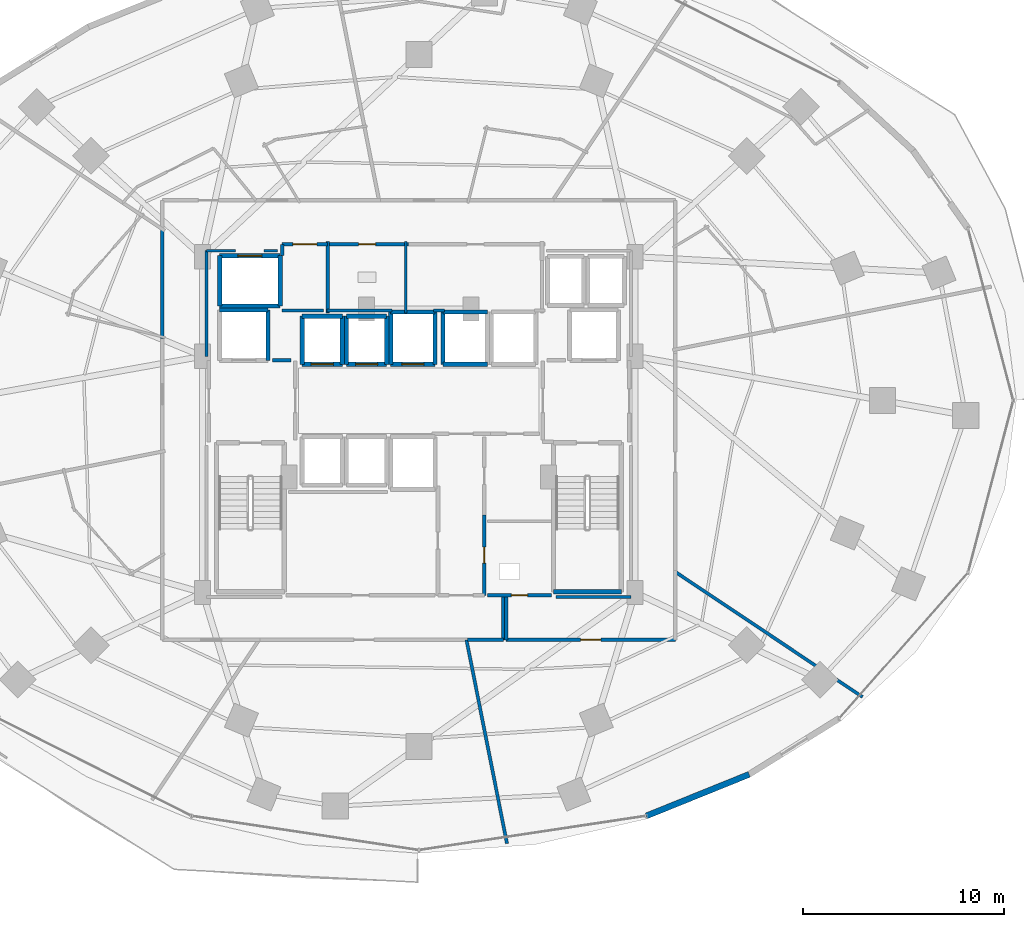
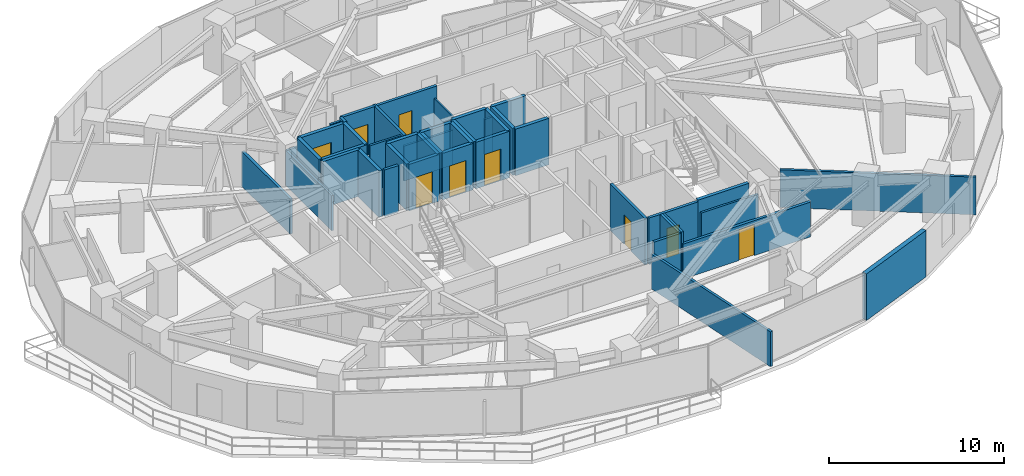
# One storey, part 27 of 33: 45 walls, 9 doors, 9 openings.
"""IFC4 building model written with IfcOpenShell, lengths in metres."""

from ifc_helpers import new_model, si_unit, direction, frame, frame_2d, origin, place, context, subcontext, project, spatial, rectangle, extrude, material, layer, layer_set, type_object, element, fill, save


model = new_model("IFC4")

# Units and contexts
model_context = context("Model", 3, precision=1e-05, world=origin(), true_north=direction((0.0, 1.0)))
body_context = subcontext(model_context, "Body", "Model", "MODEL_VIEW")
ifc_project = project(units=[si_unit("LENGTHUNIT", "METRE"), si_unit("AREAUNIT", "SQUARE_METRE"), si_unit("VOLUMEUNIT", "CUBIC_METRE"), si_unit("PLANEANGLEUNIT", "RADIAN"), si_unit("MASSUNIT", "GRAM", prefix="KILO")], contexts=[model_context])

# Site, building, storey
site_placement = place(None, origin())
site = spatial("IfcSite", under=ifc_project, at=site_placement, CompositionType="ELEMENT")
building_placement = place(site_placement, origin())
building = spatial("IfcBuilding", under=site, at=building_placement, Name="Vorneva Point Tower", CompositionType="ELEMENT")
storey_placement = place(building_placement, frame((0.0, 0.0, 38.0)))
storey = spatial("IfcBuildingStorey", under=building, at=storey_placement, Name="L09", CompositionType="ELEMENT", Elevation=38.0)

# Walls
ifc_material_1 = material(Name="Concrete B60 (C50/60)", Category="concrete")
ifc_layer_1 = layer(ifc_material_1, 0.5)
ifc_layer_set_1 = layer_set([ifc_layer_1], Name="Concrete B60 (C50/60)")
wall_type_1 = type_object("IfcWallType", Name="WL-CORE-500", PredefinedType="SHEAR", material=ifc_layer_set_1)
wall_1_placement = place(storey_placement, frame((30.5, 28.0, 0.0), z_axis=(0.0, 0.0, 1.0), x_axis=(0.0, 1.0, 0.0)))
element("IfcWall", 1, at=wall_1_placement, inside=storey, type_object=wall_type_1, Name="L09 Lift FFL1 Shaft Wall +X", PredefinedType="SHEAR", context=body_context, shape_type="SweptSolid", body=[
    extrude(rectangle(XDim=2.5, YDim=0.219970703125, at=frame_2d((1.25, 0.0))), origin(), (0.0, 0.0, 1.0), 3.239990234375),
])
wall_2_placement = place(storey_placement, frame((30.5, 30.5, 0.0), z_axis=(0.0, 0.0, 1.0), x_axis=(-1.0, 0.0, 0.0)))
element("IfcWall", 2, at=wall_2_placement, inside=storey, type_object=wall_type_1, Name="L09 Lift FFL1 Shaft Wall +Y", PredefinedType="SHEAR", context=body_context, shape_type="SweptSolid", body=[
    extrude(rectangle(XDim=2.39990234375, YDim=0.219970703125, at=frame_2d((1.199951171875, 0.0))), origin(), (0.0, 0.0, 1.0), 3.239990234375),
])
ifc_material_2 = material(Name="Precast concrete B50 (C40/50)", Category="concrete")
ifc_layer_2 = layer(ifc_material_2, 0.300048828125)
ifc_layer_set_2 = layer_set([ifc_layer_2], Name="Precast concrete B50 (C40/50)")
wall_type_2 = type_object("IfcWallType", Name="WL-EXT-300", PredefinedType="STANDARD", material=ifc_layer_set_2)
wall_3_placement = place(storey_placement, frame((49.308349609375, 5.351318359375, 0.0), z_axis=(0.0, 0.0, 1.0), x_axis=(0.927095325176, 0.374825636845, 0.0)))
element("IfcWall", 3, at=wall_3_placement, inside=storey, type_object=wall_type_2, Name="L09 Pale-Metal Facade Spandrel Wall 14.1", PredefinedType="STANDARD", context=body_context, shape_type="SweptSolid", body=[
    extrude(rectangle(XDim=5.51025390625, YDim=0.300048828125, at=frame_2d((2.755126953125, 0.0))), origin(), (0.0, 0.0, 1.0), 3.239990234375),
])
ifc_material_3 = material(Name="Fire-rated acoustic gypsum stud partition", Category="gypsum")
ifc_layer_3 = layer(ifc_material_3, 0.110107421875)
ifc_layer_set_3 = layer_set([ifc_layer_3], Name="Fire-rated acoustic gypsum stud partition")
wall_type_3 = type_object("IfcWallType", Name="WL-PART-110", PredefinedType="PARTITIONING", material=ifc_layer_set_3)
wall_4_placement = place(storey_placement, frame((37.35009765625, 30.340087890625, 0.0), z_axis=(0.0, 0.0, 1.0), x_axis=(0.0, 1.0, 0.0)))
element("IfcWall", 4, at=wall_4_placement, inside=storey, type_object=wall_type_3, Name="L09 Interior Partition 017", PredefinedType="PARTITIONING", context=body_context, shape_type="SweptSolid", body=[
    extrude(rectangle(XDim=3.559814453125, YDim=0.110107421875, at=frame_2d((1.77978515625, 0.0))), origin(), (0.0, 0.0, 1.0), 2.431884765625),
])
ifc_layer_4 = layer(ifc_material_3, 0.139892578125)
ifc_layer_set_4 = layer_set([ifc_layer_4], Name="Fire-rated acoustic gypsum stud partition")
wall_type_4 = type_object("IfcWallType", Name="WL-PART-140", PredefinedType="PARTITIONING", material=ifc_layer_set_4)
wall_5_placement = place(storey_placement, frame((31.199951171875, 30.47998046875, 0.0), z_axis=(0.0, 0.0, 1.0), x_axis=(1.0, 0.0, 0.0)))
element("IfcWall", 5, at=wall_5_placement, inside=storey, type_object=wall_type_4, Name="L09 Interior Closure Partition 088", PredefinedType="PARTITIONING", context=body_context, shape_type="SweptSolid", body=[
    extrude(rectangle(XDim=2.050048828125, YDim=0.139892578125, at=frame_2d((1.02490234375, 0.0))), origin(), (0.0, 0.0, 1.0), 3.239990234375),
])
wall_6_placement = place(storey_placement, frame((33.43994140625, 30.47998046875, 0.0), z_axis=(0.0, 0.0, 1.0), x_axis=(1.0, 0.0, 0.0)))
element("IfcWall", 6, at=wall_6_placement, inside=storey, type_object=wall_type_4, Name="L09 Interior Closure Partition 089", PredefinedType="PARTITIONING", context=body_context, shape_type="SweptSolid", body=[
    extrude(rectangle(XDim=3.22509765625, YDim=0.139892578125, at=frame_2d((1.612548828125, 0.0))), origin(), (0.0, 0.0, 1.0), 2.431884765625),
])
wall_7_placement = place(storey_placement, frame((38.735107421875, 30.47998046875, 0.0), z_axis=(0.0, 0.0, 1.0), x_axis=(1.0, 0.0, 0.0)))
element("IfcWall", 7, at=wall_7_placement, inside=storey, type_object=wall_type_4, Name="L09 Interior Closure Partition 090", PredefinedType="PARTITIONING", context=body_context, shape_type="SweptSolid", body=[
    extrude(rectangle(XDim=0.52978515625, YDim=0.139892578125, at=frame_2d((0.264892578125, 0.0))), origin(), (0.0, 0.0, 1.0), 2.431884765625),
])
wall_8_placement = place(storey_placement, frame((48.550048828125, 16.239990234375, 0.0), z_axis=(0.0, 0.0, 1.0), x_axis=(-1.0, 0.0, 0.0)))
element("IfcWall", 8, at=wall_8_placement, inside=storey, type_object=wall_type_4, Name="L09 Interior Closure Partition 097", PredefinedType="PARTITIONING", context=body_context, shape_type="SweptSolid", body=[
    extrude(rectangle(XDim=3.7451171875, YDim=0.139892578125, at=frame_2d((1.87255859375, 0.0))), origin(), (0.0, 0.0, 1.0), 2.431884765625),
])
wall_9_placement = place(storey_placement, frame((27.449951171875, 28.196044921875, 0.0), z_axis=(0.0, 0.0, 1.0), x_axis=(0.0, 1.0, 0.0)))
element("IfcWall", 9, at=wall_9_placement, inside=storey, type_object=wall_type_4, Name="L09 Interior Closure Partition 100", PredefinedType="PARTITIONING", context=body_context, shape_type="SweptSolid", body=[
    extrude(rectangle(XDim=5.25390625, YDim=0.139892578125, at=frame_2d((2.626953125, 0.0))), origin(), (0.0, 0.0, 1.0), 2.431884765625),
])
wall_10_placement = place(storey_placement, frame((27.449951171875, 33.449951171875, 0.0), z_axis=(0.0, 0.0, 1.0), x_axis=(1.0, 0.0, 0.0)))
element("IfcWall", 10, at=wall_10_placement, inside=storey, type_object=wall_type_4, Name="L09 Interior Closure Partition 101", PredefinedType="PARTITIONING", context=body_context, shape_type="SweptSolid", body=[
    extrude(rectangle(XDim=1.444091796875, YDim=0.139892578125, at=frame_2d((0.72216796875, 0.0))), origin(), (0.0, 0.0, 1.0), 2.431884765625),
])
wall_11_placement = place(storey_placement, frame((30.305908203125, 33.449951171875, 0.0), z_axis=(0.0, 0.0, 1.0), x_axis=(1.0, 0.0, 0.0)))
element("IfcWall", 11, at=wall_11_placement, inside=storey, type_object=wall_type_4, Name="L09 Interior Closure Partition 102", PredefinedType="PARTITIONING", context=body_context, shape_type="SweptSolid", body=[
    extrude(rectangle(XDim=0.674072265625, YDim=0.139892578125, at=frame_2d((0.3369140625, 0.0))), origin(), (0.0, 0.0, 1.0), 3.239990234375),
])
ifc_layer_5 = layer(ifc_material_3, 0.159912109375)
ifc_layer_set_5 = layer_set([ifc_layer_5], Name="Fire-rated acoustic gypsum stud partition")
wall_type_5 = type_object("IfcWallType", Name="WL-PART-160", PredefinedType="PARTITIONING", material=ifc_layer_set_5)
wall_12_placement = place(storey_placement, frame((42.381103515625, 3.97705078125, 0.0), z_axis=(0.0, 0.0, 1.0), x_axis=(-0.195142599893, 0.980774880239, 0.0)))
element("IfcWall", 12, at=wall_12_placement, inside=storey, type_object=wall_type_5, Name="L09 Interior Partition 084", PredefinedType="PARTITIONING", context=body_context, shape_type="SweptSolid", body=[
    extrude(rectangle(XDim=10.321533203125, YDim=0.159912109375, at=frame_2d((5.16064453125, 0.0))), origin(), (0.0, 0.0, 1.0), 2.431884765625),
])
wall_13_placement = place(storey_placement, frame((60.052978515625, 11.264892578125, 0.0), z_axis=(0.0, 0.0, 1.0), x_axis=(-0.831469078055, 0.555571032577, 0.0)))
element("IfcWall", 13, at=wall_13_placement, inside=storey, type_object=wall_type_5, Name="L09 Interior Partition 085", PredefinedType="PARTITIONING", context=body_context, shape_type="SweptSolid", body=[
    extrude(rectangle(XDim=11.188720703125, YDim=0.159912109375, at=frame_2d((5.59423828125, 0.0))), origin(), (0.0, 0.0, 1.0), 2.6240234375),
])
ifc_material_4 = material(Name="Autoclaved aerated concrete blockwork", Category="masonry")
ifc_layer_6 = layer(ifc_material_4, 0.179931640625)
ifc_layer_set_6 = layer_set([ifc_layer_6], Name="Autoclaved aerated concrete blockwork")
wall_type_6 = type_object("IfcWallType", Name="WL-PART-180", PredefinedType="PARTITIONING", material=ifc_layer_set_6)
wall_14_placement = place(storey_placement, frame((33.469970703125, 30.340087890625, 0.0), z_axis=(0.0, 0.0, 1.0), x_axis=(0.0, 1.0, 0.0)))
element("IfcWall", 14, at=wall_14_placement, inside=storey, type_object=wall_type_6, Name="L09 Interior Partition 006", PredefinedType="PARTITIONING", context=body_context, shape_type="SweptSolid", body=[
    extrude(rectangle(XDim=3.559814453125, YDim=0.179931640625, at=frame_2d((1.77978515625, 0.0))), origin(), (0.0, 0.0, 1.0), 3.239990234375),
])

# Wall, opening, door
wall_15_placement = place(storey_placement, frame((33.469970703125, 33.760009765625, 0.0), z_axis=(0.0, 0.0, 1.0), x_axis=(-1.0, 0.0, 0.0)))
wall_15 = element("IfcWall", 15, at=wall_15_placement, inside=storey, type_object=wall_type_6, Name="L09 Interior Partition 007", PredefinedType="PARTITIONING", context=body_context, shape_type="SweptSolid", body=[
    extrude(rectangle(XDim=2.27001953125, YDim=0.179931640625, at=frame_2d((1.135009765625, 0.0))), origin(), (0.0, 0.0, 1.0), 3.239990234375),
])
opening_1_placement = place(wall_15_placement, frame((0.534912109375, 0.0, 0.0)))
opening_1 = element("IfcOpeningElement", 16, at=opening_1_placement, cuts=wall_15, Name="Opening FD-02", PredefinedType="OPENING", context=body_context, shape_type="SweptSolid", body=[
    extrude(rectangle(XDim=1.199951171875, YDim=2.14990234375, at=frame_2d((0.60009765625, 1.074951171875))), frame((0.0, 0.10498046875, 0.0), z_axis=(0.0, -1.0, 0.0), x_axis=(1.0, 0.0, 0.0)), (0.0, 0.0, 1.0), 0.209716796875),
])
ifc_material_5 = material(Name="Fire-rated powder-coated steel", Category="steel")
door_type_1 = type_object("IfcDoorType", Name="DR-FFL-1200", OperationType="NOTDEFINED", PredefinedType="DOOR", material=ifc_material_5)
door_1_placement = place(opening_1_placement, origin())
door_1 = element("IfcDoor", 17, at=door_1_placement, inside=storey, type_object=door_type_1, Name="L09 Door Service Lift Lobby / L09 Circulation Corridor", OperationType="SINGLE_SWING_RIGHT", OverallHeight=2.14990234375, OverallWidth=1.199951171875, PredefinedType="DOOR", context=body_context, shape_type="SweptSolid", body=[
    extrude(rectangle(XDim=1.199951171875, YDim=2.14990234375, at=frame_2d((0.60009765625, 1.074951171875))), frame((0.0, 0.02490234375, 0.0), z_axis=(0.0, -1.0, 0.0), x_axis=(1.0, 0.0, 0.0)), (0.0, 0.0, 1.0), 0.050048828125),
])
fill(opening_1, door_1)

# Wall
wall_16_placement = place(storey_placement, frame((31.199951171875, 33.760009765625, 0.0), z_axis=(0.0, 0.0, 1.0), x_axis=(0.0, -1.0, 0.0)))
element("IfcWall", 18, at=wall_16_placement, inside=storey, type_object=wall_type_6, Name="L09 Interior Partition 008", PredefinedType="PARTITIONING", context=body_context, shape_type="SweptSolid", body=[
    extrude(rectangle(XDim=0.56005859375, YDim=0.179931640625, at=frame_2d((0.280029296875, 0.0))), origin(), (0.0, 0.0, 1.0), 3.239990234375),
])

# Wall, opening, door
wall_17_placement = place(storey_placement, frame((41.25, 16.320068359375, 0.0), z_axis=(0.0, 0.0, 1.0), x_axis=(0.0, 1.0, 0.0)))
wall_17 = element("IfcWall", 19, at=wall_17_placement, inside=storey, type_object=wall_type_6, Name="L09 Interior Partition 011", PredefinedType="PARTITIONING", context=body_context, shape_type="SweptSolid", body=[
    extrude(rectangle(XDim=3.98486328125, YDim=0.179931640625, at=frame_2d((1.992431640625, 0.0))), origin(), (0.0, 0.0, 1.0), 3.239990234375),
])
opening_2_placement = place(wall_17_placement, frame((1.592529296875, 0.0, 0.0)))
opening_2 = element("IfcOpeningElement", 20, at=opening_2_placement, cuts=wall_17, Name="Opening RD-01", PredefinedType="OPENING", context=body_context, shape_type="SweptSolid", body=[
    extrude(rectangle(XDim=0.800048828125, YDim=2.050048828125, at=frame_2d((0.39990234375, 1.02490234375))), frame((0.0, 0.10498046875, 0.0), z_axis=(0.0, -1.0, 0.0), x_axis=(1.0, 0.0, 0.0)), (0.0, 0.0, 1.0), 0.209716796875),
])
door_type_2 = type_object("IfcDoorType", Name="DR-RSR-800", OperationType="SINGLE_SWING_LEFT", PredefinedType="DOOR", material=ifc_material_5)
door_2_placement = place(opening_2_placement, origin())
door_2 = element("IfcDoor", 21, at=door_2_placement, inside=storey, type_object=door_type_2, Name="L09 Door Core Service Lobby / Electrical Riser", OperationType="SINGLE_SWING_LEFT", OverallHeight=2.050048828125, OverallWidth=0.800048828125, PredefinedType="DOOR", context=body_context, shape_type="SweptSolid", body=[
    extrude(rectangle(XDim=0.800048828125, YDim=2.050048828125, at=frame_2d((0.39990234375, 1.02490234375))), frame((0.0, 0.02490234375, 0.0), z_axis=(0.0, -1.0, 0.0), x_axis=(1.0, 0.0, 0.0)), (0.0, 0.0, 1.0), 0.050048828125),
])
fill(opening_2, door_2)

wall_18_placement = place(storey_placement, frame((41.39990234375, 16.320068359375, 0.0), z_axis=(0.0, 0.0, 1.0), x_axis=(1.0, 0.0, 0.0)))
wall_18 = element("IfcWall", 22, at=wall_18_placement, inside=storey, type_object=wall_type_6, Name="L09 Interior Partition 016", PredefinedType="PARTITIONING", context=body_context, shape_type="SweptSolid", body=[
    extrude(rectangle(XDim=3.2001953125, YDim=0.179931640625, at=frame_2d((1.60009765625, 0.0))), origin(), (0.0, 0.0, 1.0), 3.239990234375),
])
opening_3_placement = place(wall_18_placement, frame((1.199951171875, 0.0, 0.0)))
opening_3 = element("IfcOpeningElement", 23, at=opening_3_placement, cuts=wall_18, Name="Opening RD-01", PredefinedType="OPENING", context=body_context, shape_type="SweptSolid", body=[
    extrude(rectangle(XDim=0.800048828125, YDim=2.050048828125, at=frame_2d((0.39990234375, 1.02490234375))), frame((0.0, 0.10498046875, 0.0), z_axis=(0.0, -1.0, 0.0), x_axis=(1.0, 0.0, 0.0)), (0.0, 0.0, 1.0), 0.209716796875),
])
door_3_placement = place(opening_3_placement, origin())
door_3 = element("IfcDoor", 24, at=door_3_placement, inside=storey, type_object=door_type_2, Name="L09 Door Electrical Riser / L09 Circulation Corridor", OperationType="SINGLE_SWING_LEFT", OverallHeight=2.050048828125, OverallWidth=0.800048828125, PredefinedType="DOOR", context=body_context, shape_type="SweptSolid", body=[
    extrude(rectangle(XDim=0.800048828125, YDim=2.050048828125, at=frame_2d((0.39990234375, 1.02490234375))), frame((0.0, 0.02490234375, 0.0), z_axis=(0.0, -1.0, 0.0), x_axis=(1.0, 0.0, 0.0)), (0.0, 0.0, 1.0), 0.050048828125),
])
fill(opening_3, door_3)

wall_19_placement = place(storey_placement, frame((37.489990234375, 33.760009765625, 0.0), z_axis=(0.0, 0.0, 1.0), x_axis=(-1.0, 0.0, 0.0)))
wall_19 = element("IfcWall", 25, at=wall_19_placement, inside=storey, type_object=wall_type_6, Name="L09 Interior Partition 018", PredefinedType="PARTITIONING", context=body_context, shape_type="SweptSolid", body=[
    extrude(rectangle(XDim=4.1298828125, YDim=0.179931640625, at=frame_2d((2.06494140625, 0.0))), origin(), (0.0, 0.0, 1.0), 3.239990234375),
])
opening_4_placement = place(wall_19_placement, frame((1.639892578125, 0.0, 0.0)))
opening_4 = element("IfcOpeningElement", 26, at=opening_4_placement, cuts=wall_19, Name="Opening ID-02", PredefinedType="OPENING", context=body_context, shape_type="SweptSolid", body=[
    extrude(rectangle(XDim=0.85009765625, YDim=2.10009765625, at=frame_2d((0.425048828125, 1.050048828125))), frame((0.0, 0.10498046875, 0.0), z_axis=(0.0, -1.0, 0.0), x_axis=(1.0, 0.0, 0.0)), (0.0, 0.0, 1.0), 0.209716796875),
])
ifc_material_6 = material(Name="Engineered oak fire-rated door leaf", Category="wood")
door_type_3 = type_object("IfcDoorType", Name="DR-BATH-850", OperationType="NOTDEFINED", PredefinedType="DOOR", material=ifc_material_6)
door_4_placement = place(opening_4_placement, origin())
door_4 = element("IfcDoor", 27, at=door_4_placement, inside=storey, type_object=door_type_3, Name="L09 Door Accessible WC / L09 Circulation Corridor", OperationType="SINGLE_SWING_RIGHT", OverallHeight=2.10009765625, OverallWidth=0.85009765625, PredefinedType="DOOR", context=body_context, shape_type="SweptSolid", body=[
    extrude(rectangle(XDim=0.85009765625, YDim=2.10009765625, at=frame_2d((0.425048828125, 1.050048828125))), frame((0.0, 0.02490234375, 0.0), z_axis=(0.0, -1.0, 0.0), x_axis=(1.0, 0.0, 0.0)), (0.0, 0.0, 1.0), 0.050048828125),
])
fill(opening_4, door_4)

# Walls
wall_20_placement = place(storey_placement, frame((25.25, 34.59912109375, 0.0), z_axis=(0.0, 0.0, 1.0), x_axis=(0.0, -1.0, 0.0)))
element("IfcWall", 28, at=wall_20_placement, inside=storey, type_object=wall_type_6, Name="L09 Interior Partition 032", PredefinedType="PARTITIONING", context=body_context, shape_type="SweptSolid", body=[
    extrude(rectangle(XDim=5.510009765625, YDim=0.179931640625, at=frame_2d((2.7548828125, 0.0))), origin(), (0.0, 0.0, 1.0), 2.431884765625),
])
wall_21_placement = place(storey_placement, frame((42.340087890625, 16.239990234375, 0.0), z_axis=(0.0, 0.0, 1.0), x_axis=(0.0, -1.0, 0.0)))
element("IfcWall", 29, at=wall_21_placement, inside=storey, type_object=wall_type_6, Name="L09 Interior Partition 037", PredefinedType="PARTITIONING", context=body_context, shape_type="SweptSolid", body=[
    extrude(rectangle(XDim=2.139892578125, YDim=0.179931640625, at=frame_2d((1.06982421875, 0.0))), origin(), (0.0, 0.0, 1.0), 3.239990234375),
])

# Wall, opening, door
wall_22_placement = place(storey_placement, frame((42.340087890625, 14.10009765625, 0.0), z_axis=(0.0, 0.0, 1.0), x_axis=(1.0, 0.0, 0.0)))
wall_22 = element("IfcWall", 30, at=wall_22_placement, inside=storey, type_object=wall_type_6, Name="L09 Interior Partition 038", PredefinedType="PARTITIONING", context=body_context, shape_type="SweptSolid", body=[
    extrude(rectangle(XDim=8.409912109375, YDim=0.179931640625, at=frame_2d((4.205078125, 0.0))), origin(), (0.0, 0.0, 1.0), 2.431884765625),
])
opening_5_placement = place(wall_22_placement, frame((3.705078125, 0.0, 0.0)))
opening_5 = element("IfcOpeningElement", 31, at=opening_5_placement, cuts=wall_22, Name="Opening UD-01", PredefinedType="OPENING", context=body_context, shape_type="SweptSolid", body=[
    extrude(rectangle(XDim=1.0, YDim=2.14990234375, at=frame_2d((0.5, 1.074951171875))), frame((0.0, 0.10498046875, 0.0), z_axis=(0.0, -1.0, 0.0), x_axis=(1.0, 0.0, 0.0)), (0.0, 0.0, 1.0), 0.209716796875),
])
door_type_4 = type_object("IfcDoorType", Name="DR-UNIT-1000", OperationType="NOTDEFINED", PredefinedType="DOOR", material=ifc_material_6)
door_5_placement = place(opening_5_placement, origin())
door_5 = element("IfcDoor", 32, at=door_5_placement, inside=storey, type_object=door_type_4, Name="L09 Door L09 Circulation Corridor / Executive Meeting Room L09-07", OperationType="SINGLE_SWING_RIGHT", OverallHeight=2.14990234375, OverallWidth=1.0, PredefinedType="DOOR", context=body_context, shape_type="SweptSolid", body=[
    extrude(rectangle(XDim=1.0, YDim=2.14990234375, at=frame_2d((0.5, 1.074951171875))), frame((0.0, 0.02490234375, 0.0), z_axis=(0.0, -1.0, 0.0), x_axis=(1.0, 0.0, 0.0)), (0.0, 0.0, 1.0), 0.050048828125),
])
fill(opening_5, door_5)

# Walls
wall_23_placement = place(storey_placement, frame((40.427978515625, 14.10009765625, 0.0), z_axis=(0.0, 0.0, 1.0), x_axis=(1.0, 0.0, 0.0)))
element("IfcWall", 33, at=wall_23_placement, inside=storey, type_object=wall_type_6, Name="L09 Interior Partition 040", PredefinedType="PARTITIONING", context=body_context, shape_type="SweptSolid", body=[
    extrude(rectangle(XDim=1.77197265625, YDim=0.179931640625, at=frame_2d((0.885986328125, 0.0))), origin(), (0.0, 0.0, 1.0), 3.239990234375),
])
wall_24_placement = place(storey_placement, frame((42.199951171875, 14.10009765625, 0.0), z_axis=(0.0, 0.0, 1.0), x_axis=(0.0, 1.0, 0.0)))
element("IfcWall", 34, at=wall_24_placement, inside=storey, type_object=wall_type_6, Name="L09 Interior Partition 041", PredefinedType="PARTITIONING", context=body_context, shape_type="SweptSolid", body=[
    extrude(rectangle(XDim=2.139892578125, YDim=0.179931640625, at=frame_2d((1.06982421875, 0.0))), origin(), (0.0, 0.0, 1.0), 3.239990234375),
])
wall_25_placement = place(storey_placement, frame((31.635009765625, 28.0, 0.0), z_axis=(0.0, 0.0, 1.0), x_axis=(-1.0, 0.0, 0.0)))
element("IfcWall", 35, at=wall_25_placement, inside=storey, type_object=wall_type_6, Name="L09 Interior Closure Partition 086", PredefinedType="PARTITIONING", context=body_context, shape_type="SweptSolid", body=[
    extrude(rectangle(XDim=0.9150390625, YDim=0.179931640625, at=frame_2d((0.45751953125, 0.0))), origin(), (0.0, 0.0, 1.0), 3.239990234375),
])
ifc_material_7 = material(Name="Concrete B50 (C40/50)", Category="concrete")
ifc_layer_7 = layer(ifc_material_7, 0.219970703125)
ifc_layer_set_7 = layer_set([ifc_layer_7], Name="Concrete B50 (C40/50)")
wall_type_7 = type_object("IfcWallType", Name="WL-SHFT-220", PredefinedType="SOLIDWALL", material=ifc_layer_set_7)
wall_26_placement = place(storey_placement, frame((48.06005859375, 16.489990234375, 0.0), z_axis=(0.0, 0.0, 1.0), x_axis=(-1.0, 0.0, 0.0)))
element("IfcWall", 36, at=wall_26_placement, inside=storey, type_object=wall_type_7, Name="L09 Exit Stair ST2 Shaft Wall far", PredefinedType="SOLIDWALL", context=body_context, shape_type="SweptSolid", body=[
    extrude(rectangle(XDim=3.3701171875, YDim=0.219970703125, at=frame_2d((1.68505859375, 0.0))), origin(), (0.0, 0.0, 1.0), 3.239990234375),
])

# Wall, opening, door
wall_27_placement = place(storey_placement, frame((32.199951171875, 27.800048828125, 0.0), z_axis=(0.0, 0.0, 1.0), x_axis=(1.0, 0.0, 0.0)))
wall_27 = element("IfcWall", 37, at=wall_27_placement, inside=storey, type_object=wall_type_7, Name="L09 Lift PL1 Shaft Wall -Y", PredefinedType="SOLIDWALL", context=body_context, shape_type="SweptSolid", body=[
    extrude(rectangle(XDim=2.0, YDim=0.219970703125, at=frame_2d((1.0, 0.0))), origin(), (0.0, 0.0, 1.0), 3.239990234375),
])
opening_6_placement = place(wall_27_placement, frame((0.449951171875, 0.0, 0.0)))
opening_6 = element("IfcOpeningElement", 38, at=opening_6_placement, cuts=wall_27, Name="Opening LD-01", PredefinedType="OPENING", context=body_context, shape_type="SweptSolid", body=[
    extrude(rectangle(XDim=1.10009765625, YDim=2.199951171875, at=frame_2d((0.550048828125, 1.10009765625))), frame((0.0, 0.125, 0.0), z_axis=(0.0, -1.0, 0.0), x_axis=(1.0, 0.0, 0.0)), (0.0, 0.0, 1.0), 0.249755859375),
])
ifc_material_8 = material(Name="Brushed stainless steel S304", Category="steel")
door_type_5 = type_object("IfcDoorType", Name="LD-PASS-1100", OperationType="SLIDING_TO_LEFT", PredefinedType="DOOR", material=ifc_material_8)
door_6_placement = place(opening_6_placement, origin())
door_6 = element("IfcDoor", 39, at=door_6_placement, inside=storey, type_object=door_type_5, Name="L09 Lift PL1 Sliding Landing Door", OperationType="SLIDING_TO_LEFT", OverallHeight=2.199951171875, OverallWidth=1.10009765625, PredefinedType="DOOR", context=body_context, shape_type="SweptSolid", body=[
    extrude(rectangle(XDim=1.10009765625, YDim=2.199951171875, at=frame_2d((0.550048828125, 1.10009765625))), frame((0.0, 0.02490234375, 0.0), z_axis=(0.0, -1.0, 0.0), x_axis=(1.0, 0.0, 0.0)), (0.0, 0.0, 1.0), 0.050048828125),
])
fill(opening_6, door_6)

# Walls
wall_28_placement = place(storey_placement, frame((34.199951171875, 27.800048828125, 0.0), z_axis=(0.0, 0.0, 1.0), x_axis=(0.0, 1.0, 0.0)))
element("IfcWall", 40, at=wall_28_placement, inside=storey, type_object=wall_type_7, Name="L09 Lift PL1 Shaft Wall +X", PredefinedType="SOLIDWALL", context=body_context, shape_type="SweptSolid", body=[
    extrude(rectangle(XDim=2.39990234375, YDim=0.219970703125, at=frame_2d((1.199951171875, 0.0))), origin(), (0.0, 0.0, 1.0), 3.239990234375),
])
wall_29_placement = place(storey_placement, frame((34.199951171875, 30.199951171875, 0.0), z_axis=(0.0, 0.0, 1.0), x_axis=(-1.0, 0.0, 0.0)))
element("IfcWall", 41, at=wall_29_placement, inside=storey, type_object=wall_type_7, Name="L09 Lift PL1 Shaft Wall +Y", PredefinedType="SOLIDWALL", context=body_context, shape_type="SweptSolid", body=[
    extrude(rectangle(XDim=2.0, YDim=0.219970703125, at=frame_2d((1.0, 0.0))), origin(), (0.0, 0.0, 1.0), 3.239990234375),
])
wall_30_placement = place(storey_placement, frame((32.199951171875, 30.199951171875, 0.0), z_axis=(0.0, 0.0, 1.0), x_axis=(0.0, -1.0, 0.0)))
element("IfcWall", 42, at=wall_30_placement, inside=storey, type_object=wall_type_7, Name="L09 Lift PL1 Shaft Wall -X", PredefinedType="SOLIDWALL", context=body_context, shape_type="SweptSolid", body=[
    extrude(rectangle(XDim=2.39990234375, YDim=0.219970703125, at=frame_2d((1.199951171875, 0.0))), origin(), (0.0, 0.0, 1.0), 3.239990234375),
])

# Wall, opening, door
wall_31_placement = place(storey_placement, frame((34.39990234375, 27.800048828125, 0.0), z_axis=(0.0, 0.0, 1.0), x_axis=(1.0, 0.0, 0.0)))
wall_31 = element("IfcWall", 43, at=wall_31_placement, inside=storey, type_object=wall_type_7, Name="L09 Lift PL2 Shaft Wall -Y", PredefinedType="SOLIDWALL", context=body_context, shape_type="SweptSolid", body=[
    extrude(rectangle(XDim=2.0, YDim=0.219970703125, at=frame_2d((1.0, 0.0))), origin(), (0.0, 0.0, 1.0), 3.239990234375),
])
opening_7_placement = place(wall_31_placement, frame((0.449951171875, 0.0, 0.0)))
opening_7 = element("IfcOpeningElement", 44, at=opening_7_placement, cuts=wall_31, Name="Opening LD-01", PredefinedType="OPENING", context=body_context, shape_type="SweptSolid", body=[
    extrude(rectangle(XDim=1.10009765625, YDim=2.199951171875, at=frame_2d((0.550048828125, 1.10009765625))), frame((0.0, 0.125, 0.0), z_axis=(0.0, -1.0, 0.0), x_axis=(1.0, 0.0, 0.0)), (0.0, 0.0, 1.0), 0.249755859375),
])
door_7_placement = place(opening_7_placement, origin())
door_7 = element("IfcDoor", 45, at=door_7_placement, inside=storey, type_object=door_type_5, Name="L09 Lift PL2 Sliding Landing Door", OperationType="SLIDING_TO_LEFT", OverallHeight=2.199951171875, OverallWidth=1.10009765625, PredefinedType="DOOR", context=body_context, shape_type="SweptSolid", body=[
    extrude(rectangle(XDim=1.10009765625, YDim=2.199951171875, at=frame_2d((0.550048828125, 1.10009765625))), frame((0.0, 0.02490234375, 0.0), z_axis=(0.0, -1.0, 0.0), x_axis=(1.0, 0.0, 0.0)), (0.0, 0.0, 1.0), 0.050048828125),
])
fill(opening_7, door_7)

# Walls
wall_32_placement = place(storey_placement, frame((36.39990234375, 27.800048828125, 0.0), z_axis=(0.0, 0.0, 1.0), x_axis=(0.0, 1.0, 0.0)))
element("IfcWall", 46, at=wall_32_placement, inside=storey, type_object=wall_type_7, Name="L09 Lift PL2 Shaft Wall +X", PredefinedType="SOLIDWALL", context=body_context, shape_type="SweptSolid", body=[
    extrude(rectangle(XDim=2.39990234375, YDim=0.219970703125, at=frame_2d((1.199951171875, 0.0))), origin(), (0.0, 0.0, 1.0), 3.239990234375),
])
wall_33_placement = place(storey_placement, frame((36.39990234375, 30.199951171875, 0.0), z_axis=(0.0, 0.0, 1.0), x_axis=(-1.0, 0.0, 0.0)))
element("IfcWall", 47, at=wall_33_placement, inside=storey, type_object=wall_type_7, Name="L09 Lift PL2 Shaft Wall +Y", PredefinedType="SOLIDWALL", context=body_context, shape_type="SweptSolid", body=[
    extrude(rectangle(XDim=2.0, YDim=0.219970703125, at=frame_2d((1.0, 0.0))), origin(), (0.0, 0.0, 1.0), 3.239990234375),
])
wall_34_placement = place(storey_placement, frame((34.39990234375, 30.199951171875, 0.0), z_axis=(0.0, 0.0, 1.0), x_axis=(0.0, -1.0, 0.0)))
element("IfcWall", 48, at=wall_34_placement, inside=storey, type_object=wall_type_7, Name="L09 Lift PL2 Shaft Wall -X", PredefinedType="SOLIDWALL", context=body_context, shape_type="SweptSolid", body=[
    extrude(rectangle(XDim=2.39990234375, YDim=0.219970703125, at=frame_2d((1.199951171875, 0.0))), origin(), (0.0, 0.0, 1.0), 3.239990234375),
])

# Wall, opening, door
wall_35_placement = place(storey_placement, frame((36.60009765625, 27.800048828125, 0.0), z_axis=(0.0, 0.0, 1.0), x_axis=(1.0, 0.0, 0.0)))
wall_35 = element("IfcWall", 49, at=wall_35_placement, inside=storey, type_object=wall_type_7, Name="L09 Lift PL3 Shaft Wall -Y", PredefinedType="SOLIDWALL", context=body_context, shape_type="SweptSolid", body=[
    extrude(rectangle(XDim=2.199951171875, YDim=0.219970703125, at=frame_2d((1.10009765625, 0.0))), origin(), (0.0, 0.0, 1.0), 3.239990234375),
])
opening_8_placement = place(wall_35_placement, frame((0.550048828125, 0.0, 0.0)))
opening_8 = element("IfcOpeningElement", 50, at=opening_8_placement, cuts=wall_35, Name="Opening LD-01", PredefinedType="OPENING", context=body_context, shape_type="SweptSolid", body=[
    extrude(rectangle(XDim=1.10009765625, YDim=2.199951171875, at=frame_2d((0.550048828125, 1.10009765625))), frame((0.0, 0.125, 0.0), z_axis=(0.0, -1.0, 0.0), x_axis=(1.0, 0.0, 0.0)), (0.0, 0.0, 1.0), 0.249755859375),
])
door_8_placement = place(opening_8_placement, origin())
door_8 = element("IfcDoor", 51, at=door_8_placement, inside=storey, type_object=door_type_5, Name="L09 Lift PL3 Sliding Landing Door", OperationType="SLIDING_TO_LEFT", OverallHeight=2.199951171875, OverallWidth=1.10009765625, PredefinedType="DOOR", context=body_context, shape_type="SweptSolid", body=[
    extrude(rectangle(XDim=1.10009765625, YDim=2.199951171875, at=frame_2d((0.550048828125, 1.10009765625))), frame((0.0, 0.02490234375, 0.0), z_axis=(0.0, -1.0, 0.0), x_axis=(1.0, 0.0, 0.0)), (0.0, 0.0, 1.0), 0.050048828125),
])
fill(opening_8, door_8)

# Walls
wall_36_placement = place(storey_placement, frame((38.800048828125, 27.800048828125, 0.0), z_axis=(0.0, 0.0, 1.0), x_axis=(0.0, 1.0, 0.0)))
element("IfcWall", 52, at=wall_36_placement, inside=storey, type_object=wall_type_7, Name="L09 Lift PL3 Shaft Wall +X", PredefinedType="SOLIDWALL", context=body_context, shape_type="SweptSolid", body=[
    extrude(rectangle(XDim=2.599853515625, YDim=0.219970703125, at=frame_2d((1.2998046875, 0.0))), origin(), (0.0, 0.0, 1.0), 3.239990234375),
])
wall_37_placement = place(storey_placement, frame((38.800048828125, 30.39990234375, 0.0), z_axis=(0.0, 0.0, 1.0), x_axis=(-1.0, 0.0, 0.0)))
element("IfcWall", 53, at=wall_37_placement, inside=storey, type_object=wall_type_7, Name="L09 Lift PL3 Shaft Wall +Y", PredefinedType="SOLIDWALL", context=body_context, shape_type="SweptSolid", body=[
    extrude(rectangle(XDim=2.199951171875, YDim=0.219970703125, at=frame_2d((1.10009765625, 0.0))), origin(), (0.0, 0.0, 1.0), 3.239990234375),
])
wall_38_placement = place(storey_placement, frame((36.60009765625, 30.39990234375, 0.0), z_axis=(0.0, 0.0, 1.0), x_axis=(0.0, -1.0, 0.0)))
element("IfcWall", 54, at=wall_38_placement, inside=storey, type_object=wall_type_7, Name="L09 Lift PL3 Shaft Wall -X", PredefinedType="SOLIDWALL", context=body_context, shape_type="SweptSolid", body=[
    extrude(rectangle(XDim=2.599853515625, YDim=0.219970703125, at=frame_2d((1.2998046875, 0.0))), origin(), (0.0, 0.0, 1.0), 3.239990234375),
])
for number, where, z_axis, x_axis, name in (
    (55, (39.199951171875, 27.800048828125, 0.0), (0.0, 0.0, 1.0), (1.0, 0.0, 0.0), "L09 Lift PL7 Shaft Wall -Y"),
    (56, (41.39990234375, 30.39990234375, 0.0), (0.0, 0.0, 1.0), (-1.0, 0.0, 0.0), "L09 Lift PL7 Shaft Wall +Y"),
):
    element("IfcWall", number, at=place(storey_placement, frame(where, z_axis=z_axis, x_axis=x_axis)), inside=storey, type_object=wall_type_7, Name=name, PredefinedType="SOLIDWALL", context=body_context, shape_type="SweptSolid", body=[
        extrude(rectangle(XDim=2.199951171875, YDim=0.219970703125, at=frame_2d((1.10009765625, 0.0))), origin(), (0.0, 0.0, 1.0), 3.239990234375),
    ])
wall_39_placement = place(storey_placement, frame((39.199951171875, 30.39990234375, 0.0), z_axis=(0.0, 0.0, 1.0), x_axis=(0.0, -1.0, 0.0)))
element("IfcWall", 57, at=wall_39_placement, inside=storey, type_object=wall_type_7, Name="L09 Lift PL7 Shaft Wall -X", PredefinedType="SOLIDWALL", context=body_context, shape_type="SweptSolid", body=[
    extrude(rectangle(XDim=2.599853515625, YDim=0.219970703125, at=frame_2d((1.2998046875, 0.0))), origin(), (0.0, 0.0, 1.0), 3.239990234375),
])
wall_40_placement = place(storey_placement, frame((28.10009765625, 30.699951171875, 0.0), z_axis=(0.0, 0.0, 1.0), x_axis=(1.0, 0.0, 0.0)))
element("IfcWall", 58, at=wall_40_placement, inside=storey, type_object=wall_type_7, Name="L09 Lift SVL1 Shaft Wall -Y", PredefinedType="SOLIDWALL", context=body_context, shape_type="SweptSolid", body=[
    extrude(rectangle(XDim=3.0, YDim=0.219970703125, at=frame_2d((1.5, 0.0))), origin(), (0.0, 0.0, 1.0), 3.239990234375),
])
wall_41_placement = place(storey_placement, frame((31.10009765625, 30.699951171875, 0.0), z_axis=(0.0, 0.0, 1.0), x_axis=(0.0, 1.0, 0.0)))
element("IfcWall", 59, at=wall_41_placement, inside=storey, type_object=wall_type_7, Name="L09 Lift SVL1 Shaft Wall +X", PredefinedType="SOLIDWALL", context=body_context, shape_type="SweptSolid", body=[
    extrude(rectangle(XDim=2.5, YDim=0.219970703125, at=frame_2d((1.25, 0.0))), origin(), (0.0, 0.0, 1.0), 3.239990234375),
])

# Wall, opening, door
wall_42_placement = place(storey_placement, frame((31.10009765625, 33.199951171875, 0.0), z_axis=(0.0, 0.0, 1.0), x_axis=(-1.0, 0.0, 0.0)))
wall_42 = element("IfcWall", 60, at=wall_42_placement, inside=storey, type_object=wall_type_7, Name="L09 Lift SVL1 Shaft Wall +Y", PredefinedType="SOLIDWALL", context=body_context, shape_type="SweptSolid", body=[
    extrude(rectangle(XDim=3.0, YDim=0.219970703125, at=frame_2d((1.5, 0.0))), origin(), (0.0, 0.0, 1.0), 3.239990234375),
])
opening_9_placement = place(wall_42_placement, frame((0.89990234375, 0.0, 0.0)))
opening_9 = element("IfcOpeningElement", 61, at=opening_9_placement, cuts=wall_42, Name="Opening LD-02", PredefinedType="OPENING", context=body_context, shape_type="SweptSolid", body=[
    extrude(rectangle(XDim=1.199951171875, YDim=2.199951171875, at=frame_2d((0.60009765625, 1.10009765625))), frame((0.0, 0.125, 0.0), z_axis=(0.0, -1.0, 0.0), x_axis=(1.0, 0.0, 0.0)), (0.0, 0.0, 1.0), 0.249755859375),
])
door_type_6 = type_object("IfcDoorType", Name="LD-FIRE-1200", OperationType="SLIDING_TO_LEFT", PredefinedType="DOOR", material=ifc_material_8)
door_9_placement = place(opening_9_placement, origin())
door_9 = element("IfcDoor", 62, at=door_9_placement, inside=storey, type_object=door_type_6, Name="L09 Lift SVL1 Sliding Landing Door", OperationType="SLIDING_TO_LEFT", OverallHeight=2.199951171875, OverallWidth=1.199951171875, PredefinedType="DOOR", context=body_context, shape_type="SweptSolid", body=[
    extrude(rectangle(XDim=1.199951171875, YDim=2.199951171875, at=frame_2d((0.60009765625, 1.10009765625))), frame((0.0, 0.02490234375, 0.0), z_axis=(0.0, -1.0, 0.0), x_axis=(1.0, 0.0, 0.0)), (0.0, 0.0, 1.0), 0.050048828125),
])
fill(opening_9, door_9)

# Wall
wall_43_placement = place(storey_placement, frame((28.10009765625, 33.199951171875, 0.0), z_axis=(0.0, 0.0, 1.0), x_axis=(0.0, -1.0, 0.0)))
element("IfcWall", 63, at=wall_43_placement, inside=storey, type_object=wall_type_7, Name="L09 Lift SVL1 Shaft Wall -X", PredefinedType="SOLIDWALL", context=body_context, shape_type="SweptSolid", body=[
    extrude(rectangle(XDim=2.5, YDim=0.219970703125, at=frame_2d((1.25, 0.0))), origin(), (0.0, 0.0, 1.0), 3.239990234375),
])

save(model, "model.ifc")
